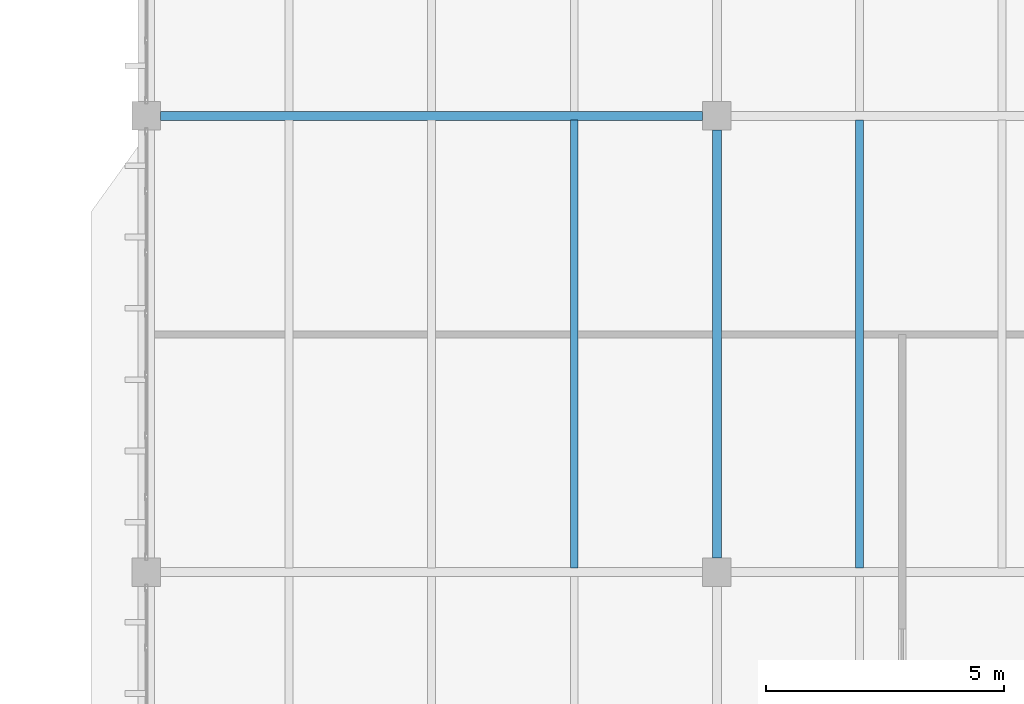
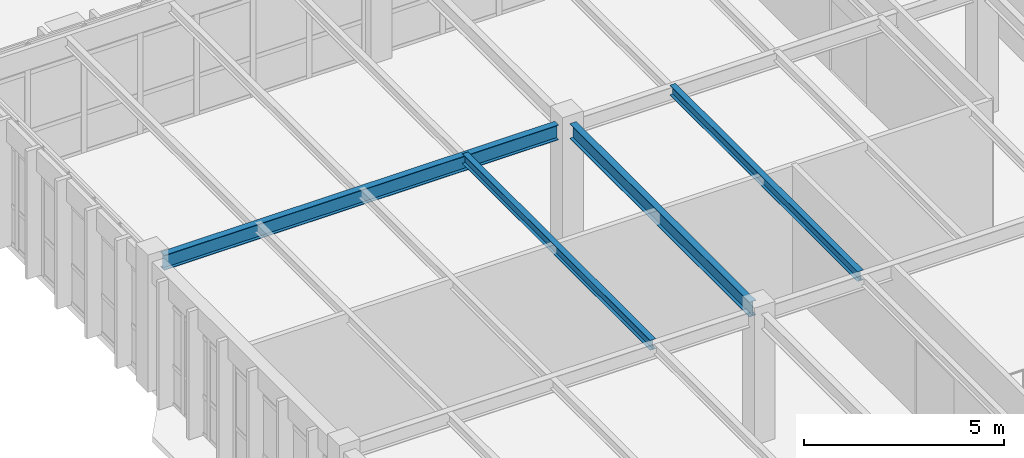
# One storey, part 46 of 83: 4 beams.
"""IFC4 building model written with IfcOpenShell, lengths in metres."""

from ifc_helpers import new_model, si_unit, direction, frame, origin, origin_2d, place, context, subcontext, project, spatial, i_section, extrude, material, material_profile, profile_set, type_object, element, save


model = new_model("IFC4")

# Units and contexts
model_context = context("Model", 3, precision=1e-05, world=origin(), true_north=direction((0.0, 1.0)))
body_context = subcontext(model_context, "Body", "Model", "MODEL_VIEW")
ifc_project = project(units=[si_unit("LENGTHUNIT", "METRE"), si_unit("AREAUNIT", "SQUARE_METRE"), si_unit("VOLUMEUNIT", "CUBIC_METRE"), si_unit("PLANEANGLEUNIT", "RADIAN"), si_unit("MASSUNIT", "GRAM", prefix="KILO")], contexts=[model_context])

# Site, building, storey
site_placement = place(None, origin())
site = spatial("IfcSite", under=ifc_project, at=site_placement, CompositionType="ELEMENT")
building_placement = place(site_placement, origin())
building = spatial("IfcBuilding", under=site, at=building_placement, Name="Pandanus Reach Market Hall", CompositionType="ELEMENT")
storey_placement = place(building_placement, frame((0.0, 0.0, 10.199951171875)))
storey = spatial("IfcBuildingStorey", under=building, at=storey_placement, Name="L02", CompositionType="ELEMENT", Elevation=10.199951171875)

# Beams
ifc_material = material(Name="Steel Grade 350 (350 MPa)", Category="steel")
ifc_material_profile_1 = material_profile(ifc_material, i_section(OverallWidth=0.18994140625, OverallDepth=0.45703125, WebThickness=0.009033203125, FlangeThickness=0.014404296875, at=origin_2d()), Name="460UB74.6", Category="LoadBearing")
ifc_profile_set_1 = profile_set([ifc_material_profile_1], Name="Steel Grade 350 (350 MPa)")
beam_type_1 = type_object("IfcBeamType", Name="BM-UB460-I", PredefinedType="BEAM", material=ifc_profile_set_1)
beam_1_placement = place(storey_placement, frame((144.298095703125, 76.800048828125, 3.631103515625), z_axis=(1.0, 0.0, 0.0), x_axis=(0.0, 1.0, 0.0)))
element("IfcBeam", 1, at=beam_1_placement, inside=storey, type_object=beam_type_1, Name="Framing beam BM-UB460-I L02.455", PredefinedType="BEAM", context=body_context, shape_type="SweptSolid", body=[
    extrude(i_section(OverallWidth=0.18994140625, OverallDepth=0.45703125, WebThickness=0.009033203125, FlangeThickness=0.014404296875, at=origin_2d()), origin(), (0.0, 0.0, 1.0), 11.40380859375),
])
beam_2_placement = place(storey_placement, frame((156.0, 67.498046875, 3.72119140625), z_axis=(0.0, 1.0, 0.0), x_axis=(-1.0, 0.0, 0.0)))
element("IfcBeam", 2, at=beam_2_placement, inside=storey, type_object=beam_type_1, Name="Framing beam BM-UB460-I L02.473", PredefinedType="BEAM", context=body_context, shape_type="SweptSolid", body=[
    extrude(i_section(OverallWidth=0.18994140625, OverallDepth=0.45703125, WebThickness=0.009033203125, FlangeThickness=0.014404296875, at=origin_2d()), origin(), (0.0, 0.0, 1.0), 9.00390625),
])
ifc_material_profile_2 = material_profile(ifc_material, i_section(OverallWidth=0.1650390625, OverallDepth=0.303955078125, WebThickness=0.006103515625, FlangeThickness=0.01025390625, at=origin_2d()), Name="310UB40.4", Category="LoadBearing")
ifc_profile_set_2 = profile_set([ifc_material_profile_2], Name="Steel Grade 350 (350 MPa)")
beam_type_2 = type_object("IfcBeamType", Name="JS-UB310-I", PredefinedType="JOIST", material=ifc_profile_set_2)
for number, where, z_axis, x_axis, name in (
    (3, (153.0, 67.29296875, 3.797607421875), (0.0, 1.0, 0.0), (-1.0, 0.0, 0.0), "Secondary joist JS-UB310-I L02.503"),
    (4, (159.0, 67.29296875, 3.797607421875), (0.0, 1.0, 0.0), (-1.0, 0.0, 0.0), "Secondary joist JS-UB310-I L02.515"),
):
    element("IfcBeam", number, at=place(storey_placement, frame(where, z_axis=z_axis, x_axis=x_axis)), inside=storey, type_object=beam_type_2, Name=name, PredefinedType="JOIST", context=body_context, shape_type="SweptSolid", body=[
        extrude(i_section(OverallWidth=0.1650390625, OverallDepth=0.303955078125, WebThickness=0.006103515625, FlangeThickness=0.01025390625, at=origin_2d()), origin(), (0.0, 0.0, 1.0), 9.4140625),
    ])

save(model, "model.ifc")
